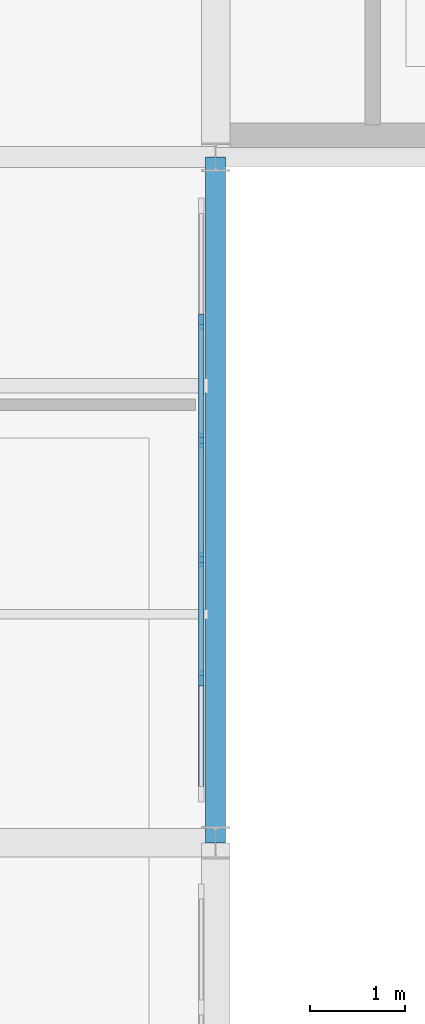
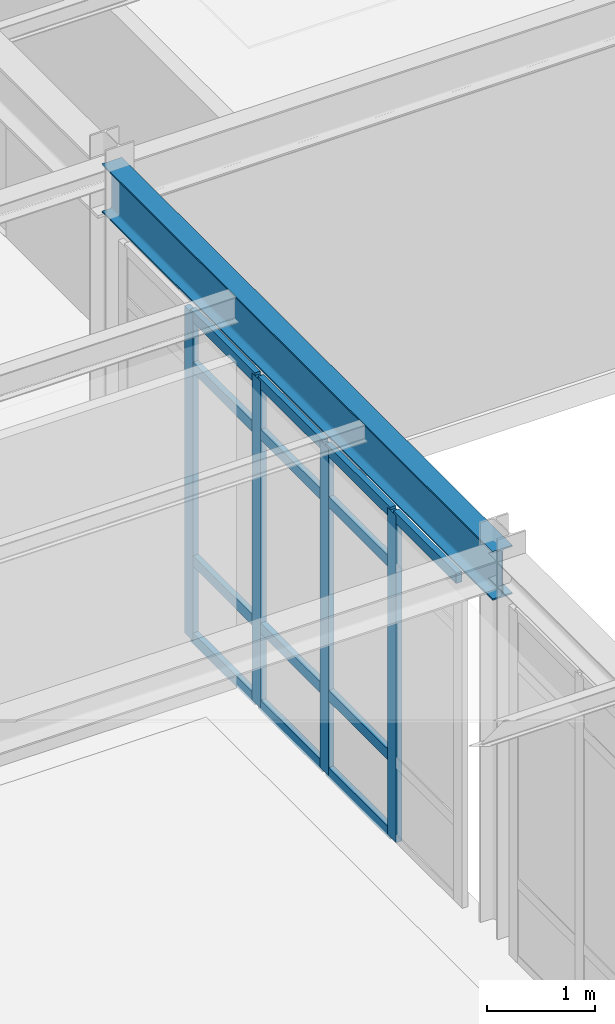
# One storey, part 47 of 106: 17 members, 1 beam, 1 element without a shape of its own.
"""IFC4 building model written with IfcOpenShell, lengths in metres."""

from ifc_helpers import new_model, si_unit, derived_unit, direction, frame, origin, origin_2d, place, context, subcontext, project, spatial, rectangle, i_section, extrude, material, layer, layer_set, material_profile, profile_set, type_object, element, aggregate, save


model = new_model("IFC4")

# Units and contexts
model_context = context("Model", 3, precision=1e-05, world=origin(), true_north=direction((0.0, 1.0)))
body_context = subcontext(model_context, "Body", "Model", "MODEL_VIEW")
ifc_project = project(units=[si_unit("LENGTHUNIT", "METRE"), si_unit("AREAUNIT", "SQUARE_METRE"), si_unit("VOLUMEUNIT", "CUBIC_METRE"), si_unit("PLANEANGLEUNIT", "RADIAN"), si_unit("MASSUNIT", "GRAM", prefix="KILO"), derived_unit("THERMALTRANSMITTANCEUNIT", [(si_unit("POWERUNIT", "WATT"), 1), (si_unit("AREAUNIT", "SQUARE_METRE"), -1), (si_unit("THERMODYNAMICTEMPERATUREUNIT", "KELVIN"), -1)])], contexts=[model_context])

# Site, building, storey
site_placement = place(None, origin())
site = spatial("IfcSite", under=ifc_project, at=site_placement, CompositionType="ELEMENT")
building_placement = place(site_placement, origin())
building = spatial("IfcBuilding", under=site, at=building_placement, Name="Yasenodar Specialist Clinic", CompositionType="ELEMENT")
storey_placement = place(building_placement, frame((0.0, 0.0, 4.5)))
storey = spatial("IfcBuildingStorey", under=building, at=storey_placement, Name="L01", CompositionType="ELEMENT", Elevation=4.5)

# Beam
ifc_material_1 = material(Name="Steel S355", Category="steel")
ifc_material_profile_1 = material_profile(ifc_material_1, i_section(OverallWidth=0.2099609375, OverallDepth=0.550048828125, WebThickness=0.010986328125, FlangeThickness=0.01708984375, FilletRadius=0.02392578125, at=origin_2d()), Name="IPE 550")
ifc_profile_set_1 = profile_set([ifc_material_profile_1], Name="Steel S355")
beam_type = type_object("IfcBeamType", Name="BM-IPE550", PredefinedType="BEAM", material=ifc_profile_set_1)
beam_placement = place(storey_placement, frame((16.800048828125, 90.0, 3.97509765625), z_axis=(0.0, 1.0, 0.0), x_axis=(-1.0, 0.0, 0.0)))
element("IfcBeam", 1, at=beam_placement, inside=storey, type_object=beam_type, Name="L01 Primary N-S Girder", PredefinedType="BEAM", context=body_context, shape_type="SweptSolid", body=[
    extrude(i_section(OverallWidth=0.2099609375, OverallDepth=0.550048828125, WebThickness=0.010986328125, FlangeThickness=0.01708984375, FilletRadius=0.02392578125, at=origin_2d()), origin(), (0.0, 0.0, 1.0), 7.199951171875),
])

# Curtain wall, members
ifc_material_2 = material(Name="Bronze Anodized Aluminium and Triple Low-E Glass", Category="aluminium")
ifc_layer = layer(ifc_material_2, 0.202880859375)
ifc_layer_set = layer_set([ifc_layer], Name="Bronze Anodized Aluminium and Triple Low-E Glass")
curtain_wall_type = type_object("IfcCurtainWallType", Name="CW-SYS-04", PredefinedType="USERDEFINED", material=ifc_layer_set)
curtain_wall_placement = place(storey_placement, origin())
curtain_wall = element("IfcCurtainWall", 2, at=curtain_wall_placement, inside=storey, type_object=curtain_wall_type, Name="L01 Unitised Curtain Wall 121", ObjectType="UNITISED CURTAIN WALL", PredefinedType="USERDEFINED")
ifc_material_3 = material(Name="Bronze Anodized Aluminium", Category="aluminium")
ifc_material_profile_2 = material_profile(ifc_material_3, rectangle(XDim=0.06005859375, YDim=0.159912109375, at=origin_2d()), Name="CW-MULL 60x160")
ifc_profile_set_2 = profile_set([ifc_material_profile_2], Name="Bronze Anodized Aluminium")
member_type_1 = type_object("IfcMemberType", Name="CW-MULL-160", PredefinedType="MULLION", material=ifc_profile_set_2)
member_1_placement = place(storey_placement, frame((16.64990234375, 95.471923828125, 0.0), z_axis=(0.0, 0.0, 1.0), x_axis=(1.0, 0.0, 0.0)))
member_1 = element("IfcMember", 3, at=member_1_placement, type_object=member_type_1, Name="CW-04 mullion 2", PredefinedType="MULLION", context=body_context, shape_type="SweptSolid", body=[
    extrude(rectangle(XDim=0.06005859375, YDim=0.159912109375, at=origin_2d()), origin(), (0.0, 0.0, 1.0), 3.677978515625),
])
member_2_placement = place(storey_placement, frame((16.64990234375, 94.22412109375, 0.0), z_axis=(0.0, 0.0, 1.0), x_axis=(1.0, 0.0, 0.0)))
member_2 = element("IfcMember", 4, at=member_2_placement, type_object=member_type_1, Name="CW-04 mullion 3", PredefinedType="MULLION", context=body_context, shape_type="SweptSolid", body=[
    extrude(rectangle(XDim=0.06005859375, YDim=0.159912109375, at=origin_2d()), origin(), (0.0, 0.0, 1.0), 3.677978515625),
])
member_3_placement = place(storey_placement, frame((16.64990234375, 92.97607421875, 0.0), z_axis=(0.0, 0.0, 1.0), x_axis=(1.0, 0.0, 0.0)))
member_3 = element("IfcMember", 5, at=member_3_placement, type_object=member_type_1, Name="CW-04 mullion 4", PredefinedType="MULLION", context=body_context, shape_type="SweptSolid", body=[
    extrude(rectangle(XDim=0.06005859375, YDim=0.159912109375, at=origin_2d()), origin(), (0.0, 0.0, 1.0), 3.677978515625),
])
member_4_placement = place(storey_placement, frame((16.64990234375, 91.72802734375, 0.0), z_axis=(0.0, 0.0, 1.0), x_axis=(1.0, 0.0, 0.0)))
member_4 = element("IfcMember", 6, at=member_4_placement, type_object=member_type_1, Name="CW-04 mullion 5", PredefinedType="MULLION", context=body_context, shape_type="SweptSolid", body=[
    extrude(rectangle(XDim=0.06005859375, YDim=0.159912109375, at=origin_2d()), origin(), (0.0, 0.0, 1.0), 3.677978515625),
])
ifc_material_profile_3 = material_profile(ifc_material_3, rectangle(XDim=0.06005859375, YDim=0.1201171875, at=origin_2d()), Name="CW-TRAN 60x120")
ifc_profile_set_3 = profile_set([ifc_material_profile_3], Name="Bronze Anodized Aluminium")
member_type_2 = type_object("IfcMemberType", Name="CW-TRAN-120", PredefinedType="USERDEFINED", material=ifc_profile_set_3)
member_5_placement = place(storey_placement, frame((16.64990234375, 95.44189453125, 0.030029296875), z_axis=(0.0, -1.0, 0.0), x_axis=(1.0, 0.0, 0.0)))
member_5 = element("IfcMember", 7, at=member_5_placement, type_object=member_type_2, Name="CW-04 transom 2.1", ObjectType="TRANSOM", PredefinedType="USERDEFINED", context=body_context, shape_type="SweptSolid", body=[
    extrude(rectangle(XDim=0.06005859375, YDim=0.1201171875, at=origin_2d()), origin(), (0.0, 0.0, 1.0), 1.18798828125),
])
member_6_placement = place(storey_placement, frame((16.64990234375, 95.44189453125, 0.89990234375), z_axis=(0.0, -1.0, 0.0), x_axis=(1.0, 0.0, 0.0)))
member_6 = element("IfcMember", 8, at=member_6_placement, type_object=member_type_2, Name="CW-04 transom 2.2", ObjectType="TRANSOM", PredefinedType="USERDEFINED", context=body_context, shape_type="SweptSolid", body=[
    extrude(rectangle(XDim=0.06005859375, YDim=0.1201171875, at=origin_2d()), origin(), (0.0, 0.0, 1.0), 1.18798828125),
])
member_7_placement = place(storey_placement, frame((16.64990234375, 95.44189453125, 3.077880859375), z_axis=(0.0, -1.0, 0.0), x_axis=(1.0, 0.0, 0.0)))
member_7 = element("IfcMember", 9, at=member_7_placement, type_object=member_type_2, Name="CW-04 transom 2.3", ObjectType="TRANSOM", PredefinedType="USERDEFINED", context=body_context, shape_type="SweptSolid", body=[
    extrude(rectangle(XDim=0.06005859375, YDim=0.1201171875, at=origin_2d()), origin(), (0.0, 0.0, 1.0), 1.18798828125),
])
member_8_placement = place(storey_placement, frame((16.64990234375, 95.44189453125, 3.64794921875), z_axis=(0.0, -1.0, 0.0), x_axis=(1.0, 0.0, 0.0)))
member_8 = element("IfcMember", 10, at=member_8_placement, type_object=member_type_2, Name="CW-04 transom 2.4", ObjectType="TRANSOM", PredefinedType="USERDEFINED", context=body_context, shape_type="SweptSolid", body=[
    extrude(rectangle(XDim=0.06005859375, YDim=0.1201171875, at=origin_2d()), origin(), (0.0, 0.0, 1.0), 1.18798828125),
])
member_9_placement = place(storey_placement, frame((16.64990234375, 94.194091796875, 0.030029296875), z_axis=(0.0, -1.0, 0.0), x_axis=(1.0, 0.0, 0.0)))
member_9 = element("IfcMember", 11, at=member_9_placement, type_object=member_type_2, Name="CW-04 transom 3.1", ObjectType="TRANSOM", PredefinedType="USERDEFINED", context=body_context, shape_type="SweptSolid", body=[
    extrude(rectangle(XDim=0.06005859375, YDim=0.1201171875, at=origin_2d()), origin(), (0.0, 0.0, 1.0), 1.18798828125),
])
member_10_placement = place(storey_placement, frame((16.64990234375, 94.194091796875, 0.89990234375), z_axis=(0.0, -1.0, 0.0), x_axis=(1.0, 0.0, 0.0)))
member_10 = element("IfcMember", 12, at=member_10_placement, type_object=member_type_2, Name="CW-04 transom 3.2", ObjectType="TRANSOM", PredefinedType="USERDEFINED", context=body_context, shape_type="SweptSolid", body=[
    extrude(rectangle(XDim=0.06005859375, YDim=0.1201171875, at=origin_2d()), origin(), (0.0, 0.0, 1.0), 1.18798828125),
])
member_11_placement = place(storey_placement, frame((16.64990234375, 94.194091796875, 3.077880859375), z_axis=(0.0, -1.0, 0.0), x_axis=(1.0, 0.0, 0.0)))
member_11 = element("IfcMember", 13, at=member_11_placement, type_object=member_type_2, Name="CW-04 transom 3.3", ObjectType="TRANSOM", PredefinedType="USERDEFINED", context=body_context, shape_type="SweptSolid", body=[
    extrude(rectangle(XDim=0.06005859375, YDim=0.1201171875, at=origin_2d()), origin(), (0.0, 0.0, 1.0), 1.18798828125),
])
member_12_placement = place(storey_placement, frame((16.64990234375, 94.194091796875, 3.64794921875), z_axis=(0.0, -1.0, 0.0), x_axis=(1.0, 0.0, 0.0)))
member_12 = element("IfcMember", 14, at=member_12_placement, type_object=member_type_2, Name="CW-04 transom 3.4", ObjectType="TRANSOM", PredefinedType="USERDEFINED", context=body_context, shape_type="SweptSolid", body=[
    extrude(rectangle(XDim=0.06005859375, YDim=0.1201171875, at=origin_2d()), origin(), (0.0, 0.0, 1.0), 1.18798828125),
])
member_13_placement = place(storey_placement, frame((16.64990234375, 92.946044921875, 0.030029296875), z_axis=(0.0, -1.0, 0.0), x_axis=(1.0, 0.0, 0.0)))
member_13 = element("IfcMember", 15, at=member_13_placement, type_object=member_type_2, Name="CW-04 transom 4.1", ObjectType="TRANSOM", PredefinedType="USERDEFINED", context=body_context, shape_type="SweptSolid", body=[
    extrude(rectangle(XDim=0.06005859375, YDim=0.1201171875, at=origin_2d()), origin(), (0.0, 0.0, 1.0), 1.18798828125),
])
member_14_placement = place(storey_placement, frame((16.64990234375, 92.946044921875, 0.89990234375), z_axis=(0.0, -1.0, 0.0), x_axis=(1.0, 0.0, 0.0)))
member_14 = element("IfcMember", 16, at=member_14_placement, type_object=member_type_2, Name="CW-04 transom 4.2", ObjectType="TRANSOM", PredefinedType="USERDEFINED", context=body_context, shape_type="SweptSolid", body=[
    extrude(rectangle(XDim=0.06005859375, YDim=0.1201171875, at=origin_2d()), origin(), (0.0, 0.0, 1.0), 1.18798828125),
])
member_15_placement = place(storey_placement, frame((16.64990234375, 92.946044921875, 3.077880859375), z_axis=(0.0, -1.0, 0.0), x_axis=(1.0, 0.0, 0.0)))
member_15 = element("IfcMember", 17, at=member_15_placement, type_object=member_type_2, Name="CW-04 transom 4.3", ObjectType="TRANSOM", PredefinedType="USERDEFINED", context=body_context, shape_type="SweptSolid", body=[
    extrude(rectangle(XDim=0.06005859375, YDim=0.1201171875, at=origin_2d()), origin(), (0.0, 0.0, 1.0), 1.18798828125),
])
member_16_placement = place(storey_placement, frame((16.64990234375, 92.946044921875, 3.64794921875), z_axis=(0.0, -1.0, 0.0), x_axis=(1.0, 0.0, 0.0)))
member_16 = element("IfcMember", 18, at=member_16_placement, type_object=member_type_2, Name="CW-04 transom 4.4", ObjectType="TRANSOM", PredefinedType="USERDEFINED", context=body_context, shape_type="SweptSolid", body=[
    extrude(rectangle(XDim=0.06005859375, YDim=0.1201171875, at=origin_2d()), origin(), (0.0, 0.0, 1.0), 1.18798828125),
])
member_17_placement = place(storey_placement, frame((16.64990234375, 91.697998046875, 3.64794921875), z_axis=(0.0, -1.0, 0.0), x_axis=(1.0, 0.0, 0.0)))
member_17 = element("IfcMember", 19, at=member_17_placement, type_object=member_type_2, Name="CW-04 transom 5.4", ObjectType="TRANSOM", PredefinedType="USERDEFINED", context=body_context, shape_type="SweptSolid", body=[
    extrude(rectangle(XDim=0.06005859375, YDim=0.1201171875, at=origin_2d()), origin(), (0.0, 0.0, 1.0), 1.157958984375),
])
aggregate(curtain_wall, [member_1, member_2, member_3, member_4, member_5, member_6, member_7, member_8, member_9, member_10, member_11, member_12, member_13, member_14, member_15, member_16, member_17])

save(model, "model.ifc")
